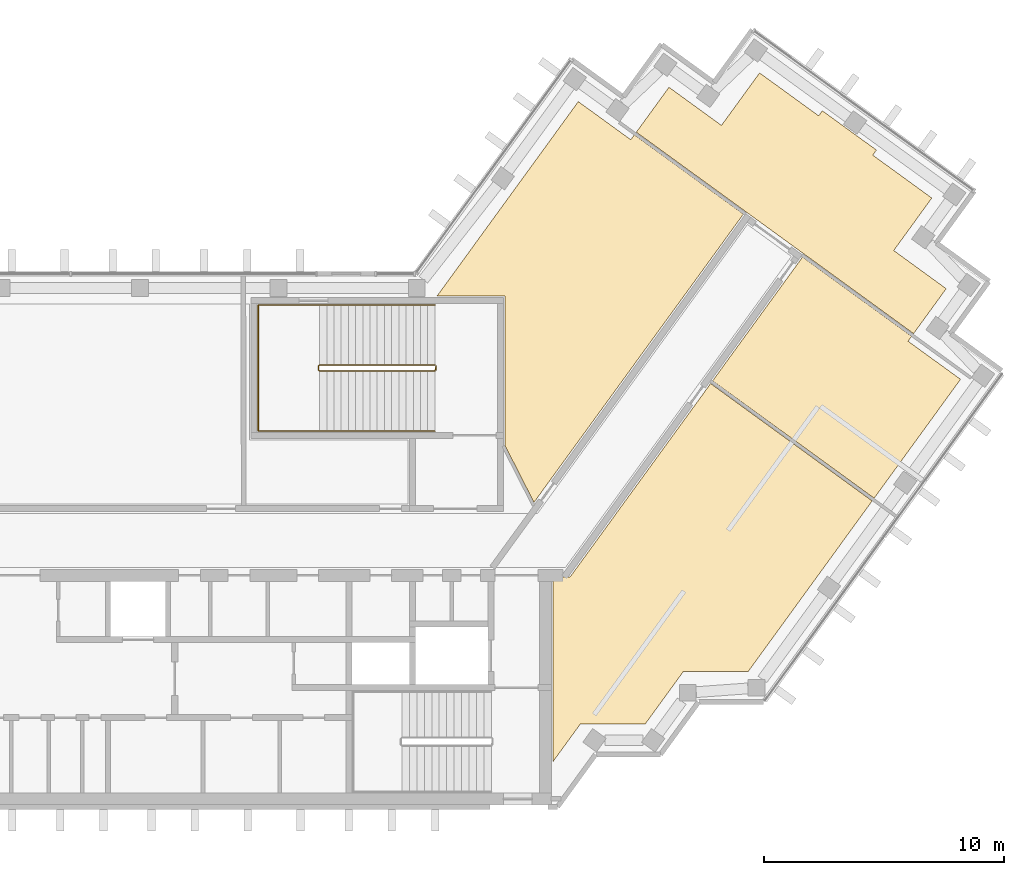
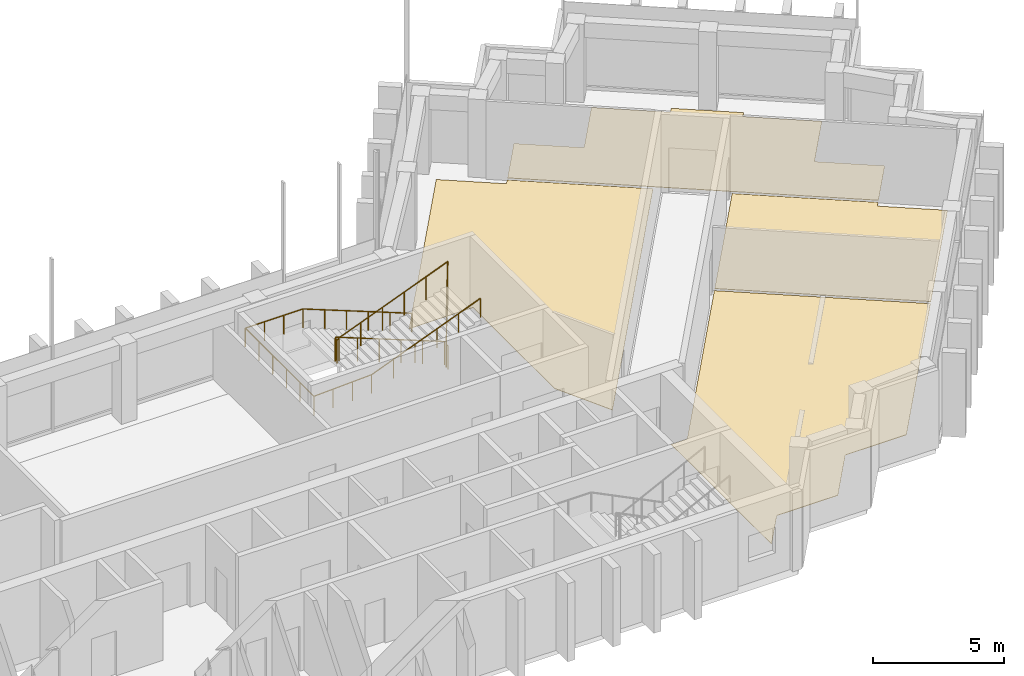
# One storey, part 14 of 14: 4 coverings, 2 railings.
"""IFC4 building model written with IfcOpenShell, lengths in metres."""

from ifc_helpers import new_model, si_unit, direction, frame, origin, origin_2d, place, context, subcontext, project, spatial, polyline, circle, outline, extrude, material, layer, layer_set, type_object, element, save


model = new_model("IFC4")

# Units and contexts
model_context = context("Model", 3, precision=1e-05, world=origin(), true_north=direction((0.0, 1.0)))
body_context = subcontext(model_context, "Body", "Model", "MODEL_VIEW")
ifc_project = project(units=[si_unit("LENGTHUNIT", "METRE"), si_unit("AREAUNIT", "SQUARE_METRE"), si_unit("VOLUMEUNIT", "CUBIC_METRE"), si_unit("PLANEANGLEUNIT", "RADIAN"), si_unit("MASSUNIT", "GRAM", prefix="KILO")], contexts=[model_context])

# Site, building, storey
site_placement = place(None, origin())
site = spatial("IfcSite", under=ifc_project, at=site_placement, CompositionType="ELEMENT")
building_placement = place(site_placement, origin())
building = spatial("IfcBuilding", under=site, at=building_placement, Name="Quipu Civic Tower", CompositionType="ELEMENT")
storey_placement = place(building_placement, frame((0.0, 0.0, 323.0)))
storey = spatial("IfcBuildingStorey", under=building, at=storey_placement, Name="L75", CompositionType="ELEMENT", Elevation=323.0)

# Coverings
ifc_material_1 = material(Name="Carpet tile on raised access floor")
ifc_layer = layer(ifc_material_1, 0.02001953125)
ifc_layer_set = layer_set([ifc_layer], Name="Carpet tile on raised access floor")
covering_type = type_object("IfcCoveringType", Name="Carpet tile floor finish 20", PredefinedType="FLOORING", material=ifc_layer_set)
covering_1_placement = place(storey_placement, origin())
element("IfcCovering", 1, at=covering_1_placement, inside=storey, type_object=covering_type, Name="Carpet tile floor finish 20", PredefinedType="FLOORING", context=body_context, shape_type="SweptSolid", body=[
    extrude(outline(polyline([(15.238037109375, 10.169921875), (21.115966796875, 18.260986328125), (23.299072265625, 16.676025390625), (23.447998046875, 16.876953125), (27.987060546875, 13.5791015625), (19.27197265625, 1.583984375), (18.070068359375, 3.94189453125), (18.070068359375, 10.1689453125), (15.238037109375, 10.169921875)])), origin(), (0.0, 0.0, 1.0), 0.02001953125),
])
covering_2_placement = place(storey_placement, origin())
element("IfcCovering", 2, at=covering_2_placement, inside=storey, type_object=covering_type, Name="Carpet tile floor finish 20", PredefinedType="FLOORING", context=body_context, shape_type="SweptSolid", body=[
    extrude(outline(polyline([(26.705078125, 6.64208984375), (30.446044921875, 11.7919921875), (34.985107421875, 8.493896484375), (34.839111328125, 8.291015625), (37.02197265625, 6.7060546875), (33.427978515625, 1.758056640625), (26.705078125, 6.64208984375)])), origin(), (0.0, 0.0, 1.0), 0.02001953125),
])
covering_3_placement = place(storey_placement, origin())
element("IfcCovering", 3, at=covering_3_placement, inside=storey, type_object=covering_type, Name="Carpet tile floor finish 20", PredefinedType="FLOORING", context=body_context, shape_type="SweptSolid", body=[
    extrude(outline(polyline([(23.531005859375, 16.989013671875), (24.888916015625, 18.85791015625), (27.073974609375, 17.27197265625), (28.658935546875, 19.455078125), (31.116943359375, 17.6708984375), (31.27099609375, 17.8798828125), (33.52197265625, 16.2451171875), (33.3701171875, 16.032958984375), (35.826904296875, 14.248046875), (34.240966796875, 12.06396484375), (36.425048828125, 10.47705078125), (35.068115234375, 8.60791015625), (23.531005859375, 16.989013671875)])), origin(), (0.0, 0.0, 1.0), 0.02001953125),
])
covering_4_placement = place(storey_placement, origin())
element("IfcCovering", 4, at=covering_4_placement, inside=storey, type_object=covering_type, Name="Carpet tile floor finish 20", PredefinedType="FLOORING", context=body_context, shape_type="SweptSolid", body=[
    extrude(outline(polyline([(20.070068359375, -9.195068359375), (20.070068359375, -1.52001953125), (20.77490234375, -1.51904296875), (26.6220703125, 6.529052734375), (33.344970703125, 1.64501953125), (28.181884765625, -5.4609375), (25.48193359375, -5.4619140625), (23.89501953125, -7.64599609375), (21.196044921875, -7.64599609375), (20.070068359375, -9.195068359375)])), origin(), (0.0, 0.0, 1.0), 0.02001953125),
])

# Railings
ifc_material_2 = material(Name="Stainless steel", Category="steel")
railing_type_1 = type_object("IfcRailingType", Name="Stair guard 1100", PredefinedType="GUARDRAIL", material=ifc_material_2)
railing_1_placement = place(storey_placement, frame((15.14990234375, 7.300048828125, 0.11767578125)))
element("IfcRailing", 5, at=railing_1_placement, inside=storey, type_object=railing_type_1, Name="Stair 4 guard", PredefinedType="GUARDRAIL", context=body_context, shape_type="SweptSolid", body=[
    extrude(circle(Radius=0.02392578125, at=origin_2d()), frame((0.0, 0.0, 1.076171875), z_axis=(-0.930970042603, 0.0, 0.365095576219), x_axis=(0.0, -1.0, 0.0)), (0.0, 0.0, 1.0), 5.15576171875),
    extrude(circle(Radius=0.02392578125, at=origin_2d()), frame((-4.7998046875, 0.0, 2.95849609375), z_axis=(-0.707106781187, -0.707106781187, 0.0), x_axis=(0.707106781187, -0.707106781187, 0.0)), (0.0, 0.0, 1.0), 0.07080078125),
    extrude(circle(Radius=0.02392578125, at=origin_2d()), frame((-4.849853515625, -0.050048828125, 2.95849609375), z_axis=(0.0, -1.0, 0.0), x_axis=(1.0, 0.0, 0.0)), (0.0, 0.0, 1.0), 0.14990234375),
    extrude(circle(Radius=0.02392578125, at=origin_2d()), frame((-4.849853515625, -0.199951171875, 2.95849609375), z_axis=(0.364463019033, -0.364463019033, 0.856932561824), x_axis=(0.707106781187, 0.707106781187, 0.0)), (0.0, 0.0, 1.0), 0.13720703125),
    extrude(circle(Radius=0.02392578125, at=origin_2d()), frame((-4.7998046875, -0.25, 3.076171875), z_axis=(0.930970042603, 0.0, 0.365095576219), x_axis=(0.0, 1.0, 0.0)), (0.0, 0.0, 1.0), 5.15576171875),
    extrude(circle(Radius=0.02392578125, at=origin_2d()), frame((0.0, -0.25, 4.95849609375), z_axis=(0.012495627992, 0.049921557685, -0.998674970829), x_axis=(-0.970072785993, 0.242814311512, 0.0)), (0.0, 0.0, 1.0), 4.00537109375),
    extrude(circle(Radius=0.02392578125, at=origin_2d()), frame((0.050048828125, -0.050048828125, 0.95849609375), z_axis=(0.0, -1.0, 0.0), x_axis=(1.0, 0.0, 0.0)), (0.0, 0.0, 1.0), 0.14990234375),
    extrude(circle(Radius=0.02099609375, at=origin_2d()), origin(), (0.0, 0.0, 1.0), 1.052001953125),
    extrude(circle(Radius=0.02099609375, at=origin_2d()), frame((-0.9599609375, 0.0, 0.37646484375)), (0.0, 0.0, 1.0), 1.052001953125),
    extrude(circle(Radius=0.02099609375, at=origin_2d()), frame((-1.919921875, 0.0, 0.7529296875)), (0.0, 0.0, 1.0), 1.052001953125),
    extrude(circle(Radius=0.02099609375, at=origin_2d()), frame((-2.8798828125, 0.0, 1.12939453125)), (0.0, 0.0, 1.0), 1.052001953125),
    extrude(circle(Radius=0.02099609375, at=origin_2d()), frame((-3.83984375, 0.0, 1.505859375)), (0.0, 0.0, 1.0), 1.052001953125),
    extrude(circle(Radius=0.02099609375, at=origin_2d()), frame((-4.7998046875, 0.0, 1.88232421875)), (0.0, 0.0, 1.0), 1.052001953125),
    extrude(circle(Radius=0.02099609375, at=origin_2d()), frame((-4.849853515625, -0.050048828125, 1.88232421875)), (0.0, 0.0, 1.0), 1.052001953125),
    extrude(circle(Radius=0.02099609375, at=origin_2d()), frame((-4.849853515625, -0.199951171875, 1.88232421875)), (0.0, 0.0, 1.0), 1.052001953125),
    extrude(circle(Radius=0.02099609375, at=origin_2d()), frame((-4.7998046875, -0.25, 2.0)), (0.0, 0.0, 1.0), 1.052001953125),
    extrude(circle(Radius=0.02099609375, at=origin_2d()), frame((-3.83984375, -0.25, 2.37646484375)), (0.0, 0.0, 1.0), 1.052001953125),
    extrude(circle(Radius=0.02099609375, at=origin_2d()), frame((-2.8798828125, -0.25, 2.7529296875)), (0.0, 0.0, 1.0), 1.052001953125),
    extrude(circle(Radius=0.02099609375, at=origin_2d()), frame((-1.919921875, -0.25, 3.12939453125)), (0.0, 0.0, 1.0), 1.052001953125),
    extrude(circle(Radius=0.02099609375, at=origin_2d()), frame((-0.9599609375, -0.25, 3.505859375)), (0.0, 0.0, 1.0), 1.052001953125),
    extrude(circle(Radius=0.02099609375, at=origin_2d()), frame((0.0, -0.25, 3.88232421875)), (0.0, 0.0, 1.0), 1.052001953125),
    extrude(circle(Radius=0.02099609375, at=origin_2d()), frame((0.012451171875, -0.199951171875, 2.88232421875)), (0.0, 0.0, 1.0), 1.052001953125),
    extrude(circle(Radius=0.02099609375, at=origin_2d()), frame((0.02490234375, -0.14990234375, 1.88232421875)), (0.0, 0.0, 1.0), 1.052001953125),
    extrude(circle(Radius=0.02099609375, at=origin_2d()), frame((0.03759765625, -0.10009765625, 0.88232421875)), (0.0, 0.0, 1.0), 1.052001953125),
    extrude(circle(Radius=0.02099609375, at=origin_2d()), frame((0.050048828125, -0.050048828125, -0.11767578125)), (0.0, 0.0, 1.0), 1.052001953125),
    extrude(circle(Radius=0.02099609375, at=origin_2d()), frame((0.050048828125, -0.199951171875, -0.11767578125)), (0.0, 0.0, 1.0), 1.052001953125),
])
ifc_material_3 = material(Name="Stainless steel", Category="steel")
railing_type_2 = type_object("IfcRailingType", Name="Stair handrail", PredefinedType="HANDRAIL", material=ifc_material_3)
railing_2_placement = place(storey_placement, frame((15.14990234375, 9.800048828125, 0.11767578125)))
element("IfcRailing", 6, at=railing_2_placement, inside=storey, type_object=railing_type_2, Name="Stair 4 handrail", PredefinedType="HANDRAIL", context=body_context, shape_type="SweptSolid", body=[
    extrude(circle(Radius=0.02392578125, at=origin_2d()), frame((0.0, 0.0, 0.8759765625), z_axis=(-0.930970042603, 0.0, 0.365095576219), x_axis=(0.0, -1.0, 0.0)), (0.0, 0.0, 1.0), 5.15576171875),
    extrude(circle(Radius=0.02392578125, at=origin_2d()), frame((-4.7998046875, 0.0, 2.75830078125), z_axis=(-1.0, 0.0, 0.0), x_axis=(0.0, -1.0, 0.0)), (0.0, 0.0, 1.0), 2.550048828125),
    extrude(circle(Radius=0.02392578125, at=origin_2d()), frame((-7.349853515625, 0.0, 2.75830078125), z_axis=(0.0, -1.0, 0.0), x_axis=(1.0, 0.0, 0.0)), (0.0, 0.0, 1.0), 5.25),
    extrude(circle(Radius=0.02392578125, at=origin_2d()), frame((-7.349853515625, -5.25, 2.75830078125), z_axis=(0.998936948642, 0.0, 0.04609742549), x_axis=(0.0, 1.0, 0.0)), (0.0, 0.0, 1.0), 2.552734375),
    extrude(circle(Radius=0.02392578125, at=origin_2d()), frame((-4.7998046875, -5.25, 2.8759765625), z_axis=(0.930970042603, 0.0, 0.365095576219), x_axis=(0.0, 1.0, 0.0)), (0.0, 0.0, 1.0), 5.15576171875),
    extrude(circle(Radius=0.02099609375, at=origin_2d()), origin(), (0.0, 0.0, 1.0), 0.851806640625),
    extrude(circle(Radius=0.02099609375, at=origin_2d()), frame((-0.9599609375, 0.0, 0.37646484375)), (0.0, 0.0, 1.0), 0.851806640625),
    extrude(circle(Radius=0.02099609375, at=origin_2d()), frame((-1.919921875, 0.0, 0.7529296875)), (0.0, 0.0, 1.0), 0.851806640625),
    extrude(circle(Radius=0.02099609375, at=origin_2d()), frame((-2.8798828125, 0.0, 1.12939453125)), (0.0, 0.0, 1.0), 0.851806640625),
    extrude(circle(Radius=0.02099609375, at=origin_2d()), frame((-3.83984375, 0.0, 1.505859375)), (0.0, 0.0, 1.0), 0.851806640625),
    extrude(circle(Radius=0.02099609375, at=origin_2d()), frame((-4.7998046875, 0.0, 1.88232421875)), (0.0, 0.0, 1.0), 0.851806640625),
    extrude(circle(Radius=0.02099609375, at=origin_2d()), frame((-5.64990234375, 0.0, 1.88232421875)), (0.0, 0.0, 1.0), 0.851806640625),
    extrude(circle(Radius=0.02099609375, at=origin_2d()), frame((-6.499755859375, 0.0, 1.88232421875)), (0.0, 0.0, 1.0), 0.851806640625),
    extrude(circle(Radius=0.02099609375, at=origin_2d()), frame((-7.349853515625, 0.0, 1.88232421875)), (0.0, 0.0, 1.0), 0.851806640625),
    extrude(circle(Radius=0.02099609375, at=origin_2d()), frame((-7.349853515625, -1.050048828125, 1.88232421875)), (0.0, 0.0, 1.0), 0.851806640625),
    extrude(circle(Radius=0.02099609375, at=origin_2d()), frame((-7.349853515625, -2.10009765625, 1.88232421875)), (0.0, 0.0, 1.0), 0.851806640625),
    extrude(circle(Radius=0.02099609375, at=origin_2d()), frame((-7.349853515625, -3.14990234375, 1.88232421875)), (0.0, 0.0, 1.0), 0.851806640625),
    extrude(circle(Radius=0.02099609375, at=origin_2d()), frame((-7.349853515625, -4.199951171875, 1.88232421875)), (0.0, 0.0, 1.0), 0.851806640625),
    extrude(circle(Radius=0.02099609375, at=origin_2d()), frame((-7.349853515625, -5.25, 1.88232421875)), (0.0, 0.0, 1.0), 0.851806640625),
    extrude(circle(Radius=0.02099609375, at=origin_2d()), frame((-6.499755859375, -5.25, 1.921630859375)), (0.0, 0.0, 1.0), 0.851806640625),
    extrude(circle(Radius=0.02099609375, at=origin_2d()), frame((-5.64990234375, -5.25, 1.960693359375)), (0.0, 0.0, 1.0), 0.851806640625),
    extrude(circle(Radius=0.02099609375, at=origin_2d()), frame((-4.7998046875, -5.25, 2.0)), (0.0, 0.0, 1.0), 0.851806640625),
    extrude(circle(Radius=0.02099609375, at=origin_2d()), frame((-3.83984375, -5.25, 2.37646484375)), (0.0, 0.0, 1.0), 0.851806640625),
    extrude(circle(Radius=0.02099609375, at=origin_2d()), frame((-2.8798828125, -5.25, 2.7529296875)), (0.0, 0.0, 1.0), 0.851806640625),
    extrude(circle(Radius=0.02099609375, at=origin_2d()), frame((-1.919921875, -5.25, 3.12939453125)), (0.0, 0.0, 1.0), 0.851806640625),
    extrude(circle(Radius=0.02099609375, at=origin_2d()), frame((-0.9599609375, -5.25, 3.505859375)), (0.0, 0.0, 1.0), 0.851806640625),
    extrude(circle(Radius=0.02099609375, at=origin_2d()), frame((0.0, -5.25, 3.88232421875)), (0.0, 0.0, 1.0), 0.851806640625),
])

save(model, "model.ifc")
